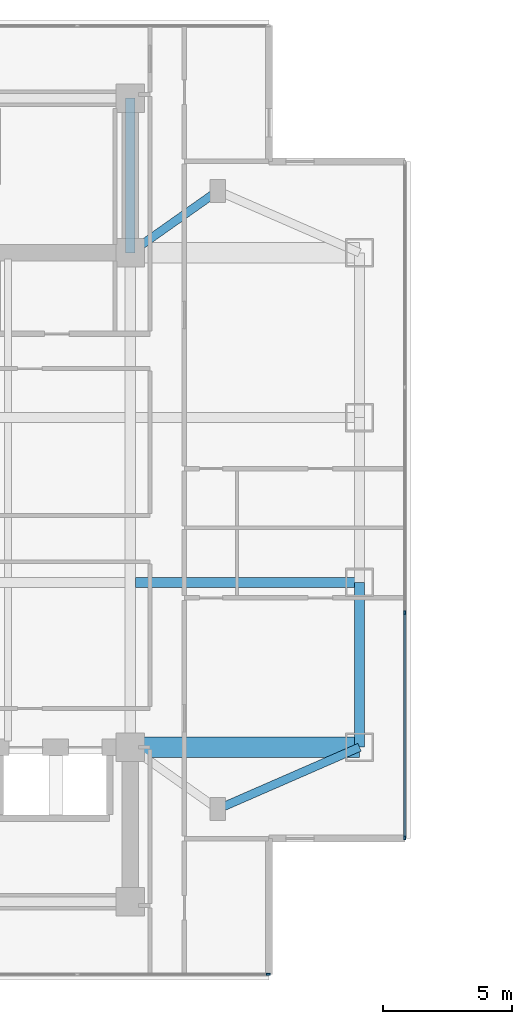
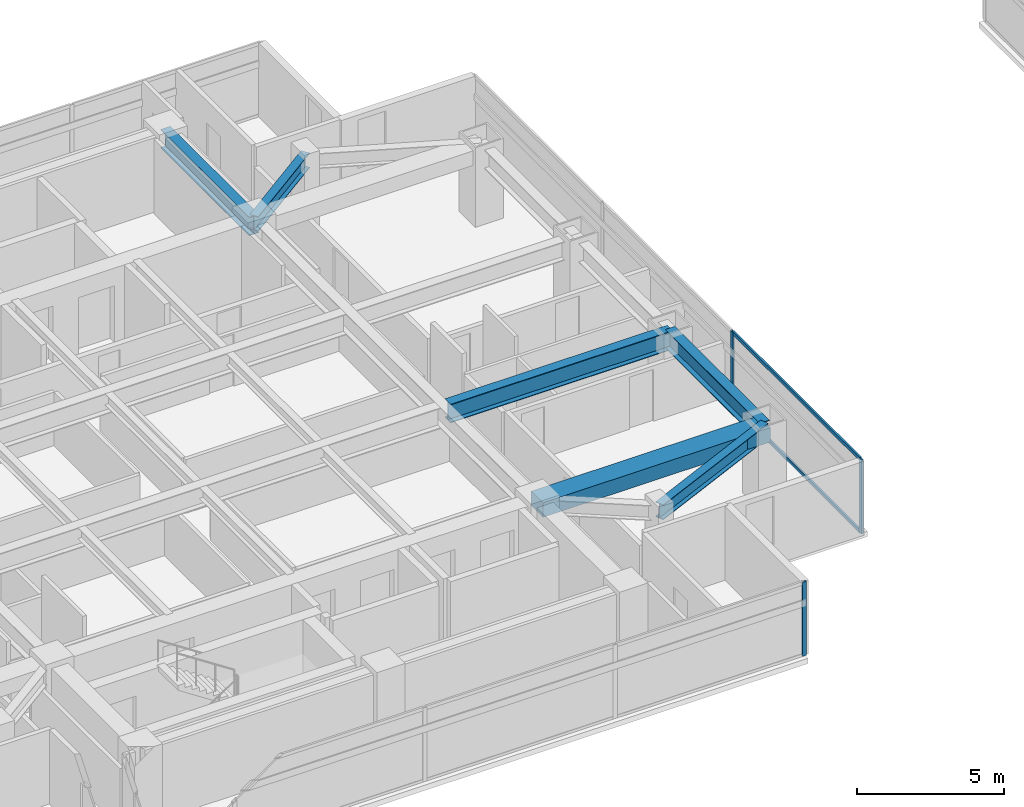
# One storey, part 4 of 26: 6 beams, 5 members, 2 elements without a shape of their own.
"""IFC4 building model written with IfcOpenShell, lengths in metres."""

from ifc_helpers import new_model, si_unit, direction, frame, origin, origin_2d, place, context, subcontext, project, spatial, rectangle, i_section, extrude, material, material_profile, profile_set, type_object, element, aggregate, save


model = new_model("IFC4")

# Units and contexts
model_context = context("Model", 3, precision=1e-05, world=origin(), true_north=direction((0.0, 1.0)))
body_context = subcontext(model_context, "Body", "Model", "MODEL_VIEW")
ifc_project = project(units=[si_unit("LENGTHUNIT", "METRE"), si_unit("AREAUNIT", "SQUARE_METRE"), si_unit("VOLUMEUNIT", "CUBIC_METRE"), si_unit("PLANEANGLEUNIT", "RADIAN"), si_unit("MASSUNIT", "GRAM", prefix="KILO")], contexts=[model_context])

# Site, building, storey
site_placement = place(None, origin())
site = spatial("IfcSite", under=ifc_project, at=site_placement, CompositionType="ELEMENT")
building_placement = place(site_placement, origin())
building = spatial("IfcBuilding", under=site, at=building_placement, Name="Mirazonda Arch Towers", CompositionType="ELEMENT")
storey_placement = place(building_placement, frame((0.0, 0.0, 121.39990234375)))
storey = spatial("IfcBuildingStorey", under=building, at=storey_placement, Name="L34", CompositionType="ELEMENT", Elevation=121.39990234375)

# Beams
ifc_material_1 = material(Name="Steel ASTM A992 Grade 50", Category="steel")
ifc_material_profile_1 = material_profile(ifc_material_1, i_section(OverallWidth=0.381103515625, OverallDepth=0.77294921875, WebThickness=0.0166015625, FlangeThickness=0.027099609375, at=origin_2d()), Name="W30X173")
ifc_profile_set_1 = profile_set([ifc_material_profile_1], Name="Steel ASTM A992 Grade 50")
beam_type_1 = type_object("IfcBeamType", Name="BM-EXT-W30X173", PredefinedType="USERDEFINED", material=ifc_profile_set_1)
beam_1_placement = place(storey_placement, frame((38.89990234375, 18.39990234375, 2.693603515625), z_axis=(0.0, 1.0, 0.0), x_axis=(-1.0, 0.0, 0.0)))
element("IfcBeam", 1, at=beam_1_placement, inside=storey, type_object=beam_type_1, Name="L34 Floor Beam BM-T1-L34-NS-E-18", ObjectType="GIRDER", PredefinedType="USERDEFINED", context=body_context, shape_type="SweptSolid", body=[
    extrude(i_section(OverallWidth=0.381103515625, OverallDepth=0.77294921875, WebThickness=0.0166015625, FlangeThickness=0.027099609375, at=origin_2d()), origin(), (0.0, 0.0, 1.0), 6.400146484375),
])
ifc_material_profile_2 = material_profile(ifc_material_1, i_section(OverallWidth=0.324951171875, OverallDepth=0.615966796875, WebThickness=0.013916015625, FlangeThickness=0.021484375, at=origin_2d()), Name="W24X117")
ifc_profile_set_2 = profile_set([ifc_material_profile_2], Name="Steel ASTM A992 Grade 50")
beam_type_2 = type_object("IfcBeamType", Name="BM-INT-W24X117", PredefinedType="BEAM", material=ifc_profile_set_2)
beam_2_placement = place(storey_placement, frame((33.39990234375, 16.0, 2.772216796875), z_axis=(0.916545343703, 0.399930785183, 0.0), x_axis=(-0.399930785183, 0.916545343703, 0.0)))
element("IfcBeam", 2, at=beam_2_placement, inside=storey, type_object=beam_type_2, Name="L34 Floor Beam BM-T1-L34-PL-SE2", PredefinedType="BEAM", context=body_context, shape_type="SweptSolid", body=[
    extrude(i_section(OverallWidth=0.324951171875, OverallDepth=0.615966796875, WebThickness=0.013916015625, FlangeThickness=0.021484375, at=origin_2d()), origin(), (0.0, 0.0, 1.0), 6.000732421875),
])
beam_3_placement = place(storey_placement, frame((33.39990234375, 40.0, 2.772216796875), z_axis=(-0.816971114901, -0.576678591087, 0.0), x_axis=(0.576678591087, -0.816971114901, 0.0)))
element("IfcBeam", 3, at=beam_3_placement, inside=storey, type_object=beam_type_2, Name="L34 Floor Beam BM-T1-L34-PL-NE1", PredefinedType="BEAM", context=body_context, shape_type="SweptSolid", body=[
    extrude(i_section(OverallWidth=0.324951171875, OverallDepth=0.615966796875, WebThickness=0.013916015625, FlangeThickness=0.021484375, at=origin_2d()), origin(), (0.0, 0.0, 1.0), 4.16162109375),
])
ifc_material_profile_3 = material_profile(ifc_material_1, i_section(OverallWidth=0.381103515625, OverallDepth=0.77294921875, WebThickness=0.0166015625, FlangeThickness=0.027099609375, at=origin_2d()), Name="W30X173")
ifc_profile_set_3 = profile_set([ifc_material_profile_3], Name="Steel ASTM A992 Grade 50")
beam_type_3 = type_object("IfcBeamType", Name="BM-INT-W30X173", PredefinedType="USERDEFINED", material=ifc_profile_set_3)
beam_4_placement = place(storey_placement, frame((30.199951171875, 24.800048828125, 2.693603515625), z_axis=(1.0, 0.0, 0.0), x_axis=(0.0, 1.0, 0.0)))
element("IfcBeam", 4, at=beam_4_placement, inside=storey, type_object=beam_type_3, Name="L34 Floor Beam BM-T1-L34-GE2", ObjectType="GIRDER", PredefinedType="USERDEFINED", context=body_context, shape_type="SweptSolid", body=[
    extrude(i_section(OverallWidth=0.381103515625, OverallDepth=0.77294921875, WebThickness=0.0166015625, FlangeThickness=0.027099609375, at=origin_2d()), origin(), (0.0, 0.0, 1.0), 8.699951171875),
])
beam_5_placement = place(storey_placement, frame((30.0, 37.60009765625, 2.693603515625), z_axis=(0.0, 1.0, 0.0), x_axis=(-1.0, 0.0, 0.0)))
element("IfcBeam", 5, at=beam_5_placement, inside=storey, type_object=beam_type_3, Name="L34 Floor Beam BM-T1-L34-CNE", ObjectType="GIRDER", PredefinedType="USERDEFINED", context=body_context, shape_type="SweptSolid", body=[
    extrude(i_section(OverallWidth=0.381103515625, OverallDepth=0.77294921875, WebThickness=0.0166015625, FlangeThickness=0.027099609375, at=origin_2d()), origin(), (0.0, 0.0, 1.0), 6.0),
])
ifc_material_2 = material(Name="Concrete C60/75", Category="concrete")
ifc_material_profile_4 = material_profile(ifc_material_2, rectangle(XDim=0.800048828125, YDim=0.60009765625, at=origin_2d()), Name="RCCB800x600")
ifc_profile_set_4 = profile_set([ifc_material_profile_4], Name="Concrete C60/75")
beam_type_4 = type_object("IfcBeamType", Name="CB-INT-RCCB800x600", PredefinedType="SPANDREL", material=ifc_profile_set_4)
beam_6_placement = place(storey_placement, frame((30.0, 18.39990234375, 2.780029296875), z_axis=(1.0, 0.0, 0.0), x_axis=(0.0, 1.0, 0.0)))
element("IfcBeam", 6, at=beam_6_placement, inside=storey, type_object=beam_type_4, Name="L34 Floor Beam CBC-T1-L34-SE", PredefinedType="SPANDREL", context=body_context, shape_type="SweptSolid", body=[
    extrude(rectangle(XDim=0.800048828125, YDim=0.60009765625, at=origin_2d()), origin(), (0.0, 0.0, 1.0), 8.89990234375),
])

# Curtain wall, member
ifc_material_3 = material(Name="Anodised Aluminium and Low-E Glass", Category="aluminium")
curtain_wall_type = type_object("IfcCurtainWallType", Name="CW-HTL-UNIT", PredefinedType="NOTDEFINED", material=ifc_material_3)
curtain_wall_1_placement = place(storey_placement, origin())
curtain_wall_1 = element("IfcCurtainWall", 7, at=curtain_wall_1_placement, inside=storey, type_object=curtain_wall_type, Name="L34 T1 S Facade CW-L34-T1-S", PredefinedType="NOTDEFINED")
ifc_material_4 = material(Name="Anodised Aluminium Alloy", Category="aluminium")
ifc_material_profile_5 = material_profile(ifc_material_4, rectangle(XDim=0.074951171875, YDim=0.1650390625, at=origin_2d()), Name="ALU-MULL-75x165")
ifc_profile_set_5 = profile_set([ifc_material_profile_5], Name="Anodised Aluminium Alloy")
member_type_1 = type_object("IfcMemberType", Name="MULL-CW-HTL-UNIT", PredefinedType="MULLION", material=ifc_profile_set_5)
member_1_placement = place(storey_placement, frame((35.3525390625, 9.58203125, 0.0), z_axis=(0.0, 0.0, 1.0), x_axis=(0.0, -1.0, 0.0)))
member_1 = element("IfcMember", 8, at=member_1_placement, type_object=member_type_1, Name="CW-112 mullion 1", PredefinedType="MULLION", context=body_context, shape_type="SweptSolid", body=[
    extrude(rectangle(XDim=0.074951171875, YDim=0.1650390625, at=origin_2d()), origin(), (0.0, 0.0, 1.0), 3.06005859375),
])
aggregate(curtain_wall_1, [member_1])

# Curtain wall, members
curtain_wall_2_placement = place(storey_placement, origin())
curtain_wall_2 = element("IfcCurtainWall", 9, at=curtain_wall_2_placement, inside=storey, type_object=curtain_wall_type, Name="L34 T1 E Facade CW-L34-T1-E", PredefinedType="NOTDEFINED")
member_2_placement = place(storey_placement, frame((40.659912109375, 14.889404296875, 0.0), z_axis=(0.0, 0.0, 1.0), x_axis=(-1.0, 0.0, 0.0)))
member_2 = element("IfcMember", 10, at=member_2_placement, type_object=member_type_1, Name="CW-112 mullion 1", PredefinedType="MULLION", context=body_context, shape_type="SweptSolid", body=[
    extrude(rectangle(XDim=0.074951171875, YDim=0.1650390625, at=origin_2d()), origin(), (0.0, 0.0, 1.0), 3.06005859375),
])
member_3_placement = place(storey_placement, frame((40.659912109375, 23.617431640625, 0.0), z_axis=(0.0, 0.0, 1.0), x_axis=(-1.0, 0.0, 0.0)))
member_3 = element("IfcMember", 11, at=member_3_placement, type_object=member_type_1, Name="CW-112 mullion 2", PredefinedType="MULLION", context=body_context, shape_type="SweptSolid", body=[
    extrude(rectangle(XDim=0.074951171875, YDim=0.1650390625, at=origin_2d()), origin(), (0.0, 0.0, 1.0), 3.06005859375),
])
ifc_material_profile_6 = material_profile(ifc_material_4, rectangle(XDim=0.074951171875, YDim=0.14501953125, at=origin_2d()), Name="ALU-TRAN-75x145")
ifc_profile_set_6 = profile_set([ifc_material_profile_6], Name="Anodised Aluminium Alloy")
member_type_2 = type_object("IfcMemberType", Name="TRAN-CW-HTL-UNIT", PredefinedType="USERDEFINED", material=ifc_profile_set_6)
member_4_placement = place(storey_placement, frame((40.659912109375, 14.927001953125, 0.03759765625), z_axis=(0.0, 1.0, 0.0), x_axis=(-1.0, 0.0, 0.0)))
member_4 = element("IfcMember", 12, at=member_4_placement, type_object=member_type_2, Name="CW-112 transom 1.1", ObjectType="TRANSOM", PredefinedType="USERDEFINED", context=body_context, shape_type="SweptSolid", body=[
    extrude(rectangle(XDim=0.074951171875, YDim=0.14501953125, at=origin_2d()), origin(), (0.0, 0.0, 1.0), 8.65283203125),
])
member_5_placement = place(storey_placement, frame((40.659912109375, 14.927001953125, 3.022705078125), z_axis=(0.0, 1.0, 0.0), x_axis=(-1.0, 0.0, 0.0)))
member_5 = element("IfcMember", 13, at=member_5_placement, type_object=member_type_2, Name="CW-112 transom 1.2", ObjectType="TRANSOM", PredefinedType="USERDEFINED", context=body_context, shape_type="SweptSolid", body=[
    extrude(rectangle(XDim=0.074951171875, YDim=0.14501953125, at=origin_2d()), origin(), (0.0, 0.0, 1.0), 8.65283203125),
])
aggregate(curtain_wall_2, [member_2, member_3, member_4, member_5])

save(model, "model.ifc")
